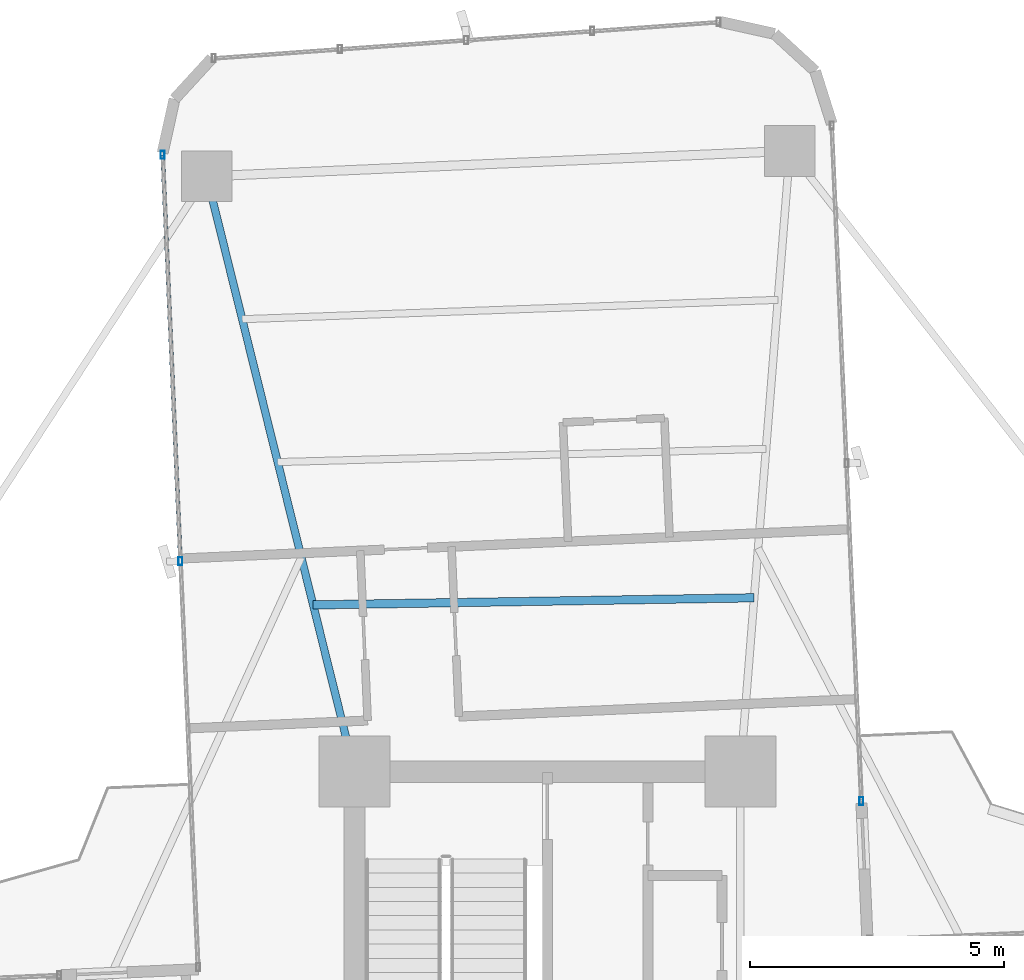
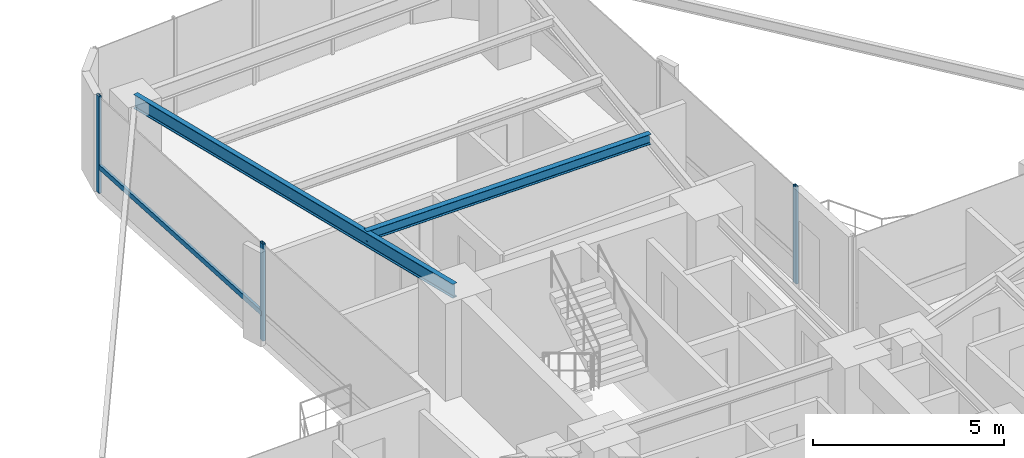
# One storey, part 17 of 26: 4 members, 2 beams, 2 elements without a shape of their own.
"""IFC4 building model written with IfcOpenShell, lengths in metres."""

from ifc_helpers import new_model, si_unit, direction, frame, origin, origin_2d, place, context, subcontext, project, spatial, hollow_rectangle, i_section, extrude, source, transform, mapped, material, material_profile, profile_set, type_object, element, aggregate, save


model = new_model("IFC4")

# Units and contexts
model_context = context("Model", 3, precision=1e-05, world=origin(), true_north=direction((0.0, 1.0)))
body_context = subcontext(model_context, "Body", "Model", "MODEL_VIEW")
ifc_project = project(units=[si_unit("LENGTHUNIT", "METRE"), si_unit("AREAUNIT", "SQUARE_METRE"), si_unit("VOLUMEUNIT", "CUBIC_METRE"), si_unit("PLANEANGLEUNIT", "RADIAN"), si_unit("MASSUNIT", "GRAM", prefix="KILO")], contexts=[model_context])

# Site, building, storey
site_placement = place(None, origin())
site = spatial("IfcSite", under=ifc_project, at=site_placement, CompositionType="ELEMENT")
building_placement = place(site_placement, origin())
building = spatial("IfcBuilding", under=site, at=building_placement, Name="Sahyath Konkavel Grand Hotel", CompositionType="ELEMENT")
storey_placement = place(building_placement, frame((0.0, 0.0, 111.449951171875)))
storey = spatial("IfcBuildingStorey", under=building, at=storey_placement, Name="L30", CompositionType="ELEMENT", Elevation=111.449951171875)

# Beams
ifc_material_1 = material(Name="Steel E350", Category="steel")
ifc_material_profile_1 = material_profile(ifc_material_1, i_section(OverallWidth=0.14990234375, OverallDepth=0.449951171875, WebThickness=0.009521484375, FlangeThickness=0.017333984375, FilletRadius=0.014892578125, at=origin_2d()), Name="ISMB 450")
ifc_profile_set_1 = profile_set([ifc_material_profile_1], Name="Steel E350")
beam_type_1 = type_object("IfcBeamType", Name="BM-ISMB450", PredefinedType="BEAM", material=ifc_profile_set_1)
shared_shape_1 = source(origin(), body_context, "Body", "SweptSolid", [
    extrude(i_section(OverallWidth=0.14990234375, OverallDepth=0.449951171875, WebThickness=0.009521484375, FlangeThickness=0.017333984375, FilletRadius=0.014892578125, at=origin_2d()), origin(), (0.0, 0.0, 1.0), 12.084228515625),
])
beam_1_placement = place(storey_placement, frame((-3.800048828125, 10.199951171875, 2.885009765625), z_axis=(-0.241042688481, 0.970514514229, 0.0), x_axis=(-0.970514514229, -0.241042688481, 0.0)))
element("IfcBeam", 1, at=beam_1_placement, inside=storey, type_object=beam_type_1, Name="L30 Cruciform Radial Girder NB", PredefinedType="BEAM", context=body_context, shape_type="MappedRepresentation", body=[
    mapped(shared_shape_1, transform((0.0, 0.0, 0.0), scale=1.0)),
])
ifc_material_profile_2 = material_profile(ifc_material_1, i_section(OverallWidth=0.1650390625, OverallDepth=0.324951171875, WebThickness=0.007080078125, FlangeThickness=0.009765625, FilletRadius=0.014892578125, at=origin_2d()), Name="ISLB 325")
ifc_profile_set_2 = profile_set([ifc_material_profile_2], Name="Steel E350")
beam_type_2 = type_object("IfcBeamType", Name="BM-ISLB325", PredefinedType="BEAM", material=ifc_profile_set_2)
shared_shape_2 = source(origin(), body_context, "Body", "SweptSolid", [
    extrude(i_section(OverallWidth=0.1650390625, OverallDepth=0.324951171875, WebThickness=0.007080078125, FlangeThickness=0.009765625, FilletRadius=0.014892578125, at=origin_2d()), origin(), (0.0, 0.0, 1.0), 8.68994140625),
])
beam_2_placement = place(storey_placement, frame((4.0732421875, 13.624267578125, 2.947509765625), z_axis=(-0.999869506431, -0.016154569283, 0.0), x_axis=(0.016154569283, -0.999869506431, 0.0)))
element("IfcBeam", 2, at=beam_2_placement, inside=storey, type_object=beam_type_2, Name="L30 Secondary Floor Beam N-1", PredefinedType="BEAM", context=body_context, shape_type="MappedRepresentation", body=[
    mapped(shared_shape_2, transform((0.0, 0.0, 0.0), scale=1.0)),
])

# Curtain wall, member
ifc_material_2 = material(Name="Anodised Bronze Aluminium & Low-E Glazing", Category="aluminium")
curtain_wall_type = type_object("IfcCurtainWallType", Name="CW-ZONE2", PredefinedType="NOTDEFINED", material=ifc_material_2)
curtain_wall_1_placement = place(storey_placement, origin())
curtain_wall_1 = element("IfcCurtainWall", 3, at=curtain_wall_1_placement, inside=storey, type_object=curtain_wall_type, Name="L30 Unitised Curtain Wall F8", PredefinedType="NOTDEFINED")
ifc_material_3 = material(Name="Anodised Bronze Aluminium", Category="aluminium")
ifc_material_profile_3 = material_profile(ifc_material_3, hollow_rectangle(XDim=0.080078125, YDim=0.159912109375, WallThickness=0.006103515625, at=origin_2d()), Name="RHS 160x80x6")
ifc_profile_set_3 = profile_set([ifc_material_profile_3], Name="Anodised Bronze Aluminium")
member_type_1 = type_object("IfcMemberType", Name="CW-MUL-160", PredefinedType="MULLION", material=ifc_profile_set_3)
shared_shape_3 = source(origin(), body_context, "Body", "SweptSolid", [
    extrude(hollow_rectangle(XDim=0.080078125, YDim=0.159912109375, WallThickness=0.006103515625, at=origin_2d()), origin(), (0.0, 0.0, 1.0), 3.110107421875),
])
member_1_placement = place(storey_placement, frame((6.186279296875, 9.618896484375, 0.0), z_axis=(0.0, 0.0, 1.0), x_axis=(1.0, 0.0, 0.0)))
member_1 = element("IfcMember", 4, at=member_1_placement, type_object=member_type_1, Name="L30 Curtain Wall Mullion F8-0", PredefinedType="MULLION", context=body_context, shape_type="MappedRepresentation", body=[
    mapped(shared_shape_3, transform((0.0, 0.0, 0.0), scale=1.0)),
])
aggregate(curtain_wall_1, [member_1])

# Curtain wall, members
curtain_wall_2_placement = place(storey_placement, origin())
curtain_wall_2 = element("IfcCurtainWall", 5, at=curtain_wall_2_placement, inside=storey, type_object=curtain_wall_type, Name="L30 Unitised Curtain Wall F15", PredefinedType="NOTDEFINED")
member_2_placement = place(storey_placement, frame((-7.582275390625, 22.3505859375, 0.0), z_axis=(0.0, 0.0, 1.0), x_axis=(1.0, 0.0, 0.0)))
member_2 = element("IfcMember", 6, at=member_2_placement, type_object=member_type_1, Name="L30 Curtain Wall Mullion F15-0", PredefinedType="MULLION", context=body_context, shape_type="MappedRepresentation", body=[
    mapped(shared_shape_3, transform((0.0, 0.0, 0.0), scale=1.0)),
])
member_3_placement = place(storey_placement, frame((-7.232666015625, 14.34814453125, 0.0), z_axis=(0.0, 0.0, 1.0), x_axis=(1.0, 0.0, 0.0)))
member_3 = element("IfcMember", 7, at=member_3_placement, type_object=member_type_1, Name="L30 Curtain Wall Mullion F15-1", PredefinedType="MULLION", context=body_context, shape_type="MappedRepresentation", body=[
    mapped(shared_shape_3, transform((0.0, 0.0, 0.0), scale=1.0)),
])
ifc_material_profile_4 = material_profile(ifc_material_3, hollow_rectangle(XDim=0.080078125, YDim=0.159912109375, WallThickness=0.006103515625, at=origin_2d()), Name="RHS 160x80x6")
ifc_profile_set_4 = profile_set([ifc_material_profile_4], Name="Anodised Bronze Aluminium")
member_type_2 = type_object("IfcMemberType", Name="CW-TRN-160", PredefinedType="USERDEFINED", material=ifc_profile_set_4)
shared_shape_4 = source(origin(), body_context, "Body", "SweptSolid", [
    extrude(hollow_rectangle(XDim=0.080078125, YDim=0.159912109375, WallThickness=0.006103515625, at=origin_2d()), origin(), (0.0, 0.0, 1.0), 8.010009765625),
])
member_4_placement = place(storey_placement, frame((-7.582275390625, 22.3505859375, 0.85009765625), z_axis=(0.043646207089, -0.999047050247, 0.0), x_axis=(0.999047050247, 0.043646207089, 0.0)))
member_4 = element("IfcMember", 8, at=member_4_placement, type_object=member_type_2, Name="L30 Curtain Wall Transom F15-0-spandrel", ObjectType="TRANSOM", PredefinedType="USERDEFINED", context=body_context, shape_type="MappedRepresentation", body=[
    mapped(shared_shape_4, transform((0.0, 0.0, 0.0), scale=1.0)),
])
aggregate(curtain_wall_2, [member_2, member_3, member_4])

save(model, "model.ifc")
